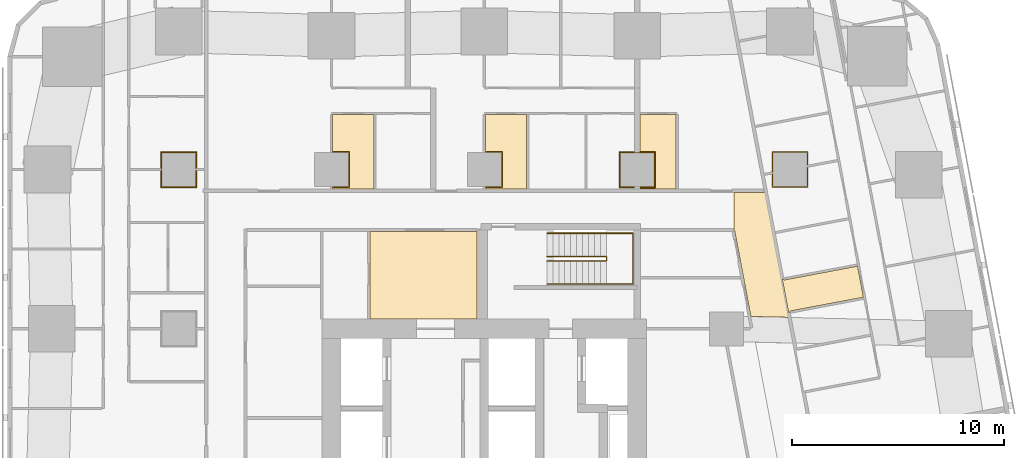
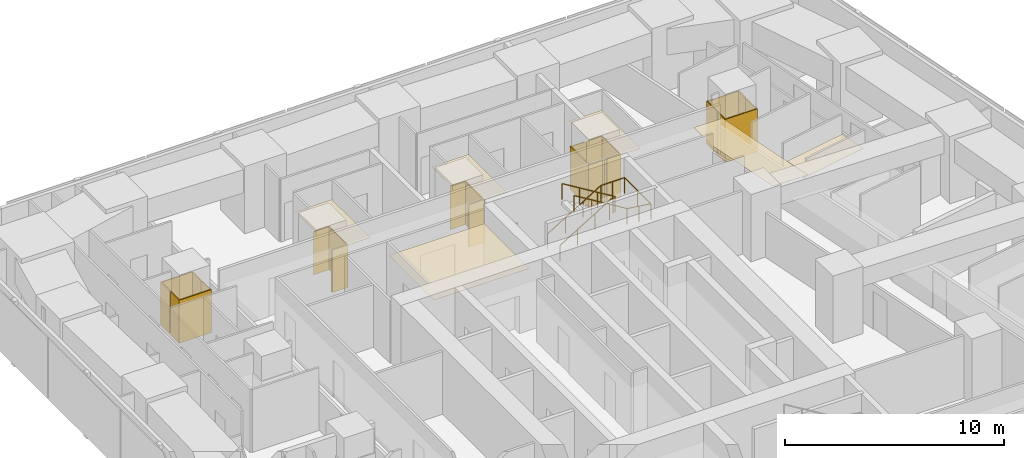
# One storey, part 17 of 17: 14 coverings, 2 railings.
"""IFC4 building model written with IfcOpenShell, lengths in metres."""

import ifcopenshell
import ifcopenshell.guid

model = None  # the IFC model being written
_history = None  # IfcOwnerHistory: only IFC2X3 demands one
_inside = {}  # id of a spatial element -> (the spatial element, [elements in it])
_under = {}  # id of a project, library or spatial element -> (it, [spatial elements below it])
_declared = {}  # id of a project -> (the project, [libraries it declares])
_typed = {}  # id of a type object -> (the type object, [elements of that type])
_made_of = {}  # id of a material, layer set ... -> (it, [elements and type objects made of it])


def new_model(schema):
    """Start an empty IFC model of exactly this schema.

    Asked for "IFC4X3", IfcOpenShell would pick the latest addendum, in which some entities
    have other attributes; the version numbers below select the first issue.
    IFC2X3 requires an IfcOwnerHistory on every rooted entity: one is made here for all.
    """
    global model, _history
    if schema == "IFC4X3":
        model = ifcopenshell.file(schema_version=(4, 3, 0, 0))
    else:
        model = ifcopenshell.file(schema=schema)
    _inside.clear()
    _under.clear()
    _declared.clear()
    _typed.clear()
    _made_of.clear()
    _history = None
    if model.schema == "IFC2X3":
        org = make("IfcOrganization", Name="unknown")
        user = make(
            "IfcPersonAndOrganization",
            ThePerson=make("IfcPerson", FamilyName="unknown"),
            TheOrganization=org,
        )
        app = make(
            "IfcApplication",
            ApplicationDeveloper=org,
            Version="unknown",
            ApplicationFullName="unknown",
            ApplicationIdentifier="unknown",
        )
        _history = make(
            "IfcOwnerHistory",
            OwningUser=user,
            OwningApplication=app,
            ChangeAction="ADDED",
            CreationDate=0,
        )
    return model


def make(cls, **values):
    """One entity of the class cls with the attributes given. An attribute that is None is left unset."""
    return model.create_entity(
        cls, **{name: value for name, value in values.items() if value is not None}
    )


def rooted(cls, **values):
    """An entity with a GlobalId (a new one), such as an element, a storey or a relation."""
    return make(cls, GlobalId=ifcopenshell.guid.new(), OwnerHistory=_history, **values)


def si_unit(unit_type, name, prefix=None):
    """IfcSIUnit, for example si_unit("LENGTHUNIT", "METRE", prefix="MILLI")."""
    return make("IfcSIUnit", UnitType=unit_type, Prefix=prefix, Name=name)


def assignment(units):
    """IfcUnitAssignment: the units of a project."""
    return None if units is None else make("IfcUnitAssignment", Units=units)


def point(xyz):
    """IfcCartesianPoint."""
    return None if xyz is None else make("IfcCartesianPoint", Coordinates=xyz)


def direction(xyz):
    """IfcDirection."""
    return None if xyz is None else make("IfcDirection", DirectionRatios=xyz)


def frame(location, z_axis=None, x_axis=None):
    """IfcAxis2Placement3D, a coordinate frame: its origin and axes. An axis left out is left unset."""
    return make(
        "IfcAxis2Placement3D",
        Location=point(location),
        Axis=direction(z_axis),
        RefDirection=direction(x_axis),
    )


def frame_2d(location, x_axis=None):
    """IfcAxis2Placement2D, a coordinate frame in the plane: its origin and x axis."""
    return make(
        "IfcAxis2Placement2D", Location=point(location), RefDirection=direction(x_axis)
    )


def origin():
    """The frame at (0, 0, 0) with its axes left unset."""
    return frame((0.0, 0.0, 0.0))


def origin_2d():
    """The frame at (0, 0) in the plane with its x axis left unset."""
    return frame_2d((0.0, 0.0))


def place(relative_to, where):
    """IfcLocalPlacement: puts the frame where relative to a parent placement (None: the world)."""
    return make(
        "IfcLocalPlacement", PlacementRelTo=relative_to, RelativePlacement=where
    )


def context(
    kind, dimensions, precision=None, world=None, true_north=None, identifier=None
):
    """IfcGeometricRepresentationContext, for example the 3D "Model" context."""
    return make(
        "IfcGeometricRepresentationContext",
        ContextIdentifier=identifier,
        ContextType=kind,
        CoordinateSpaceDimension=dimensions,
        Precision=precision,
        WorldCoordinateSystem=world,
        TrueNorth=true_north,
    )


def subcontext(parent, identifier, kind, view, scale=None):
    """IfcGeometricRepresentationSubContext, for example "Body" below "Model"."""
    return make(
        "IfcGeometricRepresentationSubContext",
        ContextIdentifier=identifier,
        ContextType=kind,
        ParentContext=parent,
        TargetScale=scale,
        TargetView=view,
    )


def project(units=None, contexts=None):
    """IfcProject with its units and contexts."""
    return rooted(
        "IfcProject",
        Name="project",
        RepresentationContexts=contexts,
        UnitsInContext=assignment(units),
    )


def spatial(cls, under=None, at=None, **own):
    """A site, building, storey or space (cls), placed at a placement, below another one or the project."""
    s = rooted(cls, ObjectPlacement=at, **own)
    if under is not None:
        _under.setdefault(under.id(), (under, []))[1].append(s)
    return s


def polyline(points):
    """IfcPolyline through the points."""
    return make("IfcPolyline", Points=[point(p) for p in points])


def profile(cls, at=None, kind="AREA", **sizes):
    """A parametric profile (cls). Its sizes go by their IFC names, for example OverallWidth=200.0."""
    return make(cls, ProfileType=kind, Position=at, **sizes)


def circle(**sizes):
    """IfcCircleProfileDef."""
    return profile("IfcCircleProfileDef", **sizes)


def outline(outer, holes=None, kind="AREA"):
    """IfcArbitraryClosedProfileDef: a profile drawn as a closed curve; with holes, ...WithVoids."""
    if holes is None:
        return make("IfcArbitraryClosedProfileDef", ProfileType=kind, OuterCurve=outer)
    return make(
        "IfcArbitraryProfileDefWithVoids",
        ProfileType=kind,
        OuterCurve=outer,
        InnerCurves=holes,
    )


def extrude(swept, where, along, depth):
    """IfcExtrudedAreaSolid: the profile swept, set in the frame where, extruded along a direction by depth."""
    return make(
        "IfcExtrudedAreaSolid",
        SweptArea=swept,
        Position=where,
        ExtrudedDirection=direction(along),
        Depth=depth,
    )


def shape(context_of_items, identifier, shape_type, items):
    """IfcShapeRepresentation: the items that make up one representation, for example the "Body"."""
    return make(
        "IfcShapeRepresentation",
        ContextOfItems=context_of_items,
        RepresentationIdentifier=identifier,
        RepresentationType=shape_type,
        Items=items,
    )


def material(Name=None, Category=None):
    """IfcMaterial."""
    return make("IfcMaterial", Name=Name, Category=Category)


def layer(
    of_material, thickness, ventilated=None, Name=None, Category=None, Priority=None
):
    """IfcMaterialLayer: one layer of a wall or slab, of a material (None: an air gap)."""
    return make(
        "IfcMaterialLayer",
        Material=of_material,
        LayerThickness=thickness,
        IsVentilated=ventilated,
        Name=Name,
        Category=Category,
        Priority=Priority,
    )


def layer_set(layers, Name=None):
    """IfcMaterialLayerSet."""
    return make("IfcMaterialLayerSet", MaterialLayers=layers, LayerSetName=Name)


def made_of(thing, what):
    """Note that an element or type object is made of a material, layer set ...; save() writes the relation."""
    if what is not None:
        _made_of.setdefault(what.id(), (what, []))[1].append(thing)
    return thing


def type_object(cls, material=None, **own):
    """A type object (cls), such as IfcWallType, which elements share."""
    return made_of(rooted(cls, **own), material)


def element(
    cls,
    number,
    at=None,
    inside=None,
    cuts=None,
    type_object=None,
    material=None,
    context=None,
    identifier="Body",
    shape_type=None,
    held_by="IfcProductDefinitionShape",
    body=None,
    shapes=None,
    **own,
):
    """One element of the class cls, such as IfcWall. Its Tag is "e" and its number.

    at: its placement. inside: the storey or other place that contains it. cuts: it is an
    opening in that element (IfcRelVoidsElement). A single representation is given by context,
    identifier, shape_type and body (its items); several are given by shapes. held_by: the class
    of the entity that holds the representations. save() writes the other relations.
    """
    e = rooted(cls, Tag="e%d" % number, ObjectPlacement=at, **own)
    if body is not None:
        shapes = [shape(context, identifier, shape_type, body)]
    if shapes is not None:
        e.Representation = make(held_by, Representations=shapes)
    if inside is not None:
        _inside.setdefault(inside.id(), (inside, []))[1].append(e)
    if cuts is not None:
        rooted(
            "IfcRelVoidsElement", RelatingBuildingElement=cuts, RelatedOpeningElement=e
        )
    if type_object is not None:
        _typed.setdefault(type_object.id(), (type_object, []))[1].append(e)
    return made_of(e, material)


def aggregate(whole, parts):
    """IfcRelAggregates: a whole, such as a stair, and the parts it consists of."""
    return rooted("IfcRelAggregates", RelatingObject=whole, RelatedObjects=parts)


def save(model, path):
    """Write the relations noted so far, then the file.

    IfcRelAggregates (storeys below a building ...), IfcRelContainedInSpatialStructure (elements
    in a storey), IfcRelDefinesByType, IfcRelAssociatesMaterial and IfcRelDeclares: one each for
    every whole, place, type object, material and project.
    """
    for whole, parts in _under.values():
        aggregate(whole, parts)
    for where, things in _inside.values():
        rooted(
            "IfcRelContainedInSpatialStructure",
            RelatedElements=things,
            RelatingStructure=where,
        )
    for kind, things in _typed.values():
        rooted("IfcRelDefinesByType", RelatedObjects=things, RelatingType=kind)
    for what, things in _made_of.values():
        rooted("IfcRelAssociatesMaterial", RelatedObjects=things, RelatingMaterial=what)
    for by, libraries in _declared.values():
        rooted("IfcRelDeclares", RelatingContext=by, RelatedDefinitions=libraries)
    model.write(path)


model = new_model("IFC4")

# Units and contexts
model_context = context("Model", 3, precision=1e-05, world=origin(), true_north=direction((0.0, 1.0)))
body_context = subcontext(model_context, "Body", "Model", "MODEL_VIEW")
ifc_project = project(units=[si_unit("LENGTHUNIT", "METRE"), si_unit("AREAUNIT", "SQUARE_METRE"), si_unit("VOLUMEUNIT", "CUBIC_METRE"), si_unit("PLANEANGLEUNIT", "RADIAN"), si_unit("MASSUNIT", "GRAM", prefix="KILO")], contexts=[model_context])

# Site, building, storey
site_placement = place(None, origin())
site = spatial("IfcSite", under=ifc_project, at=site_placement, CompositionType="ELEMENT")
building_placement = place(site_placement, origin())
building = spatial("IfcBuilding", under=site, at=building_placement, Name="Sheger Commons Tower", CompositionType="ELEMENT")
storey_placement = place(building_placement, frame((0.0, 0.0, 119.14990234375)))
storey = spatial("IfcBuildingStorey", under=building, at=storey_placement, Name="L30", CompositionType="ELEMENT", Elevation=119.14990234375)

# Railings
ifc_material_1 = material(Name="Steel handrail, black powder-coated", Category="steel")
railing_type = type_object("IfcRailingType", Name="HANDRAIL 900", PredefinedType="HANDRAIL", material=ifc_material_1)
railing_1_placement = place(storey_placement, frame((24.550048828125, 33.39990234375, 0.170654296875)))
element("IfcRailing", 1, at=railing_1_placement, inside=storey, type_object=railing_type, Name="Stair S2 handrail L30", PredefinedType="HANDRAIL", context=body_context, shape_type="SweptSolid", body=[
    extrude(circle(Radius=0.02392578125, at=origin_2d()), frame((0.0, 0.0, 0.8759765625), z_axis=(0.854202870247, 0.0, 0.519939858505), x_axis=(0.0, 1.0, 0.0)), (0.0, 0.0, 1.0), 3.278076171875),
    extrude(circle(Radius=0.02392578125, at=origin_2d()), frame((2.800048828125, 0.0, 2.580078125), z_axis=(0.0, -0.760631612298, 0.649183757016), x_axis=(1.0, 0.0, 0.0)), (0.0, 0.0, 1.0), 0.262939453125),
    extrude(circle(Radius=0.02392578125, at=origin_2d()), frame((2.800048828125, -0.199951171875, 2.7509765625), z_axis=(-0.854202870247, 0.0, 0.519939858505), x_axis=(0.0, -1.0, 0.0)), (0.0, 0.0, 1.0), 3.278076171875),
    extrude(circle(Radius=0.02099609375, at=origin_2d()), origin(), (0.0, 0.0, 1.0), 0.851806640625),
    extrude(circle(Radius=0.02099609375, at=origin_2d()), frame((0.933349609375, 0.0, 0.568115234375)), (0.0, 0.0, 1.0), 0.851806640625),
    extrude(circle(Radius=0.02099609375, at=origin_2d()), frame((1.86669921875, 0.0, 1.13623046875)), (0.0, 0.0, 1.0), 0.851806640625),
    extrude(circle(Radius=0.02099609375, at=origin_2d()), frame((2.800048828125, 0.0, 1.704345703125)), (0.0, 0.0, 1.0), 0.851806640625),
    extrude(circle(Radius=0.02099609375, at=origin_2d()), frame((2.800048828125, -0.199951171875, 1.875)), (0.0, 0.0, 1.0), 0.851806640625),
    extrude(circle(Radius=0.02099609375, at=origin_2d()), frame((1.86669921875, -0.199951171875, 2.443115234375)), (0.0, 0.0, 1.0), 0.851806640625),
    extrude(circle(Radius=0.02099609375, at=origin_2d()), frame((0.933349609375, -0.199951171875, 3.01123046875)), (0.0, 0.0, 1.0), 0.851806640625),
    extrude(circle(Radius=0.02099609375, at=origin_2d()), frame((0.0, -0.199951171875, 3.579345703125)), (0.0, 0.0, 1.0), 0.851806640625),
])
railing_2_placement = place(storey_placement, frame((24.550048828125, 34.5, 0.170654296875)))
element("IfcRailing", 2, at=railing_2_placement, inside=storey, type_object=railing_type, Name="Stair S2 handrail L30", PredefinedType="HANDRAIL", context=body_context, shape_type="SweptSolid", body=[
    extrude(circle(Radius=0.02392578125, at=origin_2d()), frame((0.0, 0.0, 0.8759765625), z_axis=(0.854202870247, 0.0, 0.519939858505), x_axis=(0.0, 1.0, 0.0)), (0.0, 0.0, 1.0), 3.278076171875),
    extrude(circle(Radius=0.02392578125, at=origin_2d()), frame((2.800048828125, 0.0, 2.580078125), z_axis=(1.0, 0.0, 0.0), x_axis=(0.0, 1.0, 0.0)), (0.0, 0.0, 1.0), 1.25),
    extrude(circle(Radius=0.02392578125, at=origin_2d()), frame((4.050048828125, 0.0, 2.580078125), z_axis=(0.0, -1.0, 0.0), x_axis=(1.0, 0.0, 0.0)), (0.0, 0.0, 1.0), 2.39990234375),
    extrude(circle(Radius=0.02392578125, at=origin_2d()), frame((4.050048828125, -2.39990234375, 2.580078125), z_axis=(-0.990808959222, 0.0, 0.135268645019), x_axis=(0.0, -1.0, 0.0)), (0.0, 0.0, 1.0), 1.261474609375),
    extrude(circle(Radius=0.02392578125, at=origin_2d()), frame((2.800048828125, -2.39990234375, 2.7509765625), z_axis=(-0.854202870247, 0.0, 0.519939858505), x_axis=(0.0, -1.0, 0.0)), (0.0, 0.0, 1.0), 3.278076171875),
    extrude(circle(Radius=0.02099609375, at=origin_2d()), origin(), (0.0, 0.0, 1.0), 0.851806640625),
    extrude(circle(Radius=0.02099609375, at=origin_2d()), frame((0.933349609375, 0.0, 0.568115234375)), (0.0, 0.0, 1.0), 0.851806640625),
    extrude(circle(Radius=0.02099609375, at=origin_2d()), frame((1.86669921875, 0.0, 1.13623046875)), (0.0, 0.0, 1.0), 0.851806640625),
    extrude(circle(Radius=0.02099609375, at=origin_2d()), frame((2.800048828125, 0.0, 1.704345703125)), (0.0, 0.0, 1.0), 0.851806640625),
    extrude(circle(Radius=0.02099609375, at=origin_2d()), frame((3.425048828125, 0.0, 1.704345703125)), (0.0, 0.0, 1.0), 0.851806640625),
    extrude(circle(Radius=0.02099609375, at=origin_2d()), frame((4.050048828125, 0.0, 1.704345703125)), (0.0, 0.0, 1.0), 0.851806640625),
    extrude(circle(Radius=0.02099609375, at=origin_2d()), frame((4.050048828125, -1.199951171875, 1.704345703125)), (0.0, 0.0, 1.0), 0.851806640625),
    extrude(circle(Radius=0.02099609375, at=origin_2d()), frame((4.050048828125, -2.39990234375, 1.704345703125)), (0.0, 0.0, 1.0), 0.851806640625),
    extrude(circle(Radius=0.02099609375, at=origin_2d()), frame((3.425048828125, -2.39990234375, 1.78955078125)), (0.0, 0.0, 1.0), 0.851806640625),
    extrude(circle(Radius=0.02099609375, at=origin_2d()), frame((2.800048828125, -2.39990234375, 1.875)), (0.0, 0.0, 1.0), 0.851806640625),
    extrude(circle(Radius=0.02099609375, at=origin_2d()), frame((1.86669921875, -2.39990234375, 2.443115234375)), (0.0, 0.0, 1.0), 0.851806640625),
    extrude(circle(Radius=0.02099609375, at=origin_2d()), frame((0.933349609375, -2.39990234375, 3.01123046875)), (0.0, 0.0, 1.0), 0.851806640625),
    extrude(circle(Radius=0.02099609375, at=origin_2d()), frame((0.0, -2.39990234375, 3.579345703125)), (0.0, 0.0, 1.0), 0.851806640625),
])

# Coverings
ifc_material_2 = material(Name="Moisture-resistant gypsum plasterboard 15 mm on a suspended galvanised steel grid", Category="steel")
ifc_layer_1 = layer(ifc_material_2, 0.014892578125)
ifc_layer_set_1 = layer_set([ifc_layer_1], Name="MOISTURE-RESISTANT CEILING 15")
covering_type_1 = type_object("IfcCoveringType", Name="MOISTURE-RESISTANT CEILING 15", PredefinedType="CEILING", material=ifc_layer_set_1)
covering_1_placement = place(storey_placement, frame((0.0, 0.0, 2.400146484375)))
element("IfcCovering", 3, at=covering_1_placement, inside=storey, type_object=covering_type_1, Name="L30-07.B2 ceiling", PredefinedType="CEILING", context=body_context, shape_type="SweptSolid", body=[
    extrude(outline(polyline([(35.93798828125, 30.76611328125), (36.007080078125, 30.779052734375), (35.9970703125, 30.8330078125), (39.4609375, 31.487060546875), (39.18408203125, 32.950927734375), (35.719970703125, 32.297119140625), (35.7099609375, 32.35107421875), (35.64111328125, 32.337890625), (35.93798828125, 30.76611328125)])), origin(), (0.0, 0.0, 1.0), 0.014892578125),
])
covering_2_placement = place(storey_placement, frame((0.0, 0.0, 2.400146484375)))
element("IfcCovering", 4, at=covering_2_placement, inside=storey, type_object=covering_type_1, Name="L30-10.B1 ceiling", PredefinedType="CEILING", context=body_context, shape_type="SweptSolid", body=[
    extrude(outline(polyline([(14.455078125, 36.580078125), (16.39501953125, 36.580078125), (16.39501953125, 40.094970703125), (14.455078125, 40.094970703125), (14.455078125, 38.304931640625), (15.205078125, 38.304931640625), (15.205078125, 36.695068359375), (14.455078125, 36.695068359375), (14.455078125, 36.580078125)])), origin(), (0.0, 0.0, 1.0), 0.014892578125),
])
covering_3_placement = place(storey_placement, frame((0.0, 0.0, 2.400146484375)))
element("IfcCovering", 5, at=covering_3_placement, inside=storey, type_object=covering_type_1, Name="L30-11.B1 ceiling", PredefinedType="CEILING", context=body_context, shape_type="SweptSolid", body=[
    extrude(outline(polyline([(21.655029296875, 36.580078125), (23.594970703125, 36.580078125), (23.594970703125, 40.094970703125), (21.655029296875, 40.094970703125), (21.655029296875, 38.304931640625), (22.405029296875, 38.304931640625), (22.405029296875, 36.695068359375), (21.655029296875, 36.695068359375), (21.655029296875, 36.580078125)])), origin(), (0.0, 0.0, 1.0), 0.014892578125),
])
covering_4_placement = place(storey_placement, frame((0.0, 0.0, 2.400146484375)))
element("IfcCovering", 6, at=covering_4_placement, inside=storey, type_object=covering_type_1, Name="L30-12.B1 ceiling", PredefinedType="CEILING", context=body_context, shape_type="SweptSolid", body=[
    extrude(outline(polyline([(28.929931640625, 36.580078125), (30.635009765625, 36.580078125), (30.635009765625, 40.094970703125), (28.929931640625, 40.094970703125), (28.929931640625, 38.304931640625), (29.60498046875, 38.304931640625), (29.60498046875, 36.695068359375), (28.929931640625, 36.695068359375), (28.929931640625, 36.580078125)])), origin(), (0.0, 0.0, 1.0), 0.014892578125),
])
ifc_material_3 = material(Name="Gypsum plasterboard 15 mm on a suspended steel grid", Category="steel")
ifc_layer_2 = layer(ifc_material_3, 0.014892578125)
ifc_layer_set_2 = layer_set([ifc_layer_2], Name="SUSPENDED CEILING 15")
covering_type_2 = type_object("IfcCoveringType", Name="SUSPENDED CEILING 15", PredefinedType="CEILING", material=ifc_layer_set_2)
covering_5_placement = place(storey_placement, frame((0.0, 0.0, 2.7001953125)))
element("IfcCovering", 7, at=covering_5_placement, inside=storey, type_object=covering_type_2, Name="L30-CO ceiling", PredefinedType="CEILING", context=body_context, shape_type="SweptSolid", body=[
    extrude(outline(polyline([(35.98095703125, 30.5380859375), (34.85498046875, 36.5), (34.77001953125, 36.5), (34.77001953125, 36.419921875), (33.365966796875, 36.419921875), (33.365966796875, 34.699951171875), (33.365966796875, 34.697998046875), (33.364013671875, 34.697998046875), (33.382080078125, 34.60205078125), (33.39892578125, 34.60498046875), (34.159912109375, 30.5791015625), (35.98095703125, 30.5380859375)])), origin(), (0.0, 0.0, 1.0), 0.014892578125),
])
covering_6_placement = place(storey_placement, frame((0.0, 0.0, 2.7001953125)))
element("IfcCovering", 8, at=covering_6_placement, inside=storey, type_object=covering_type_2, Name="L30-SVN1 ceiling", PredefinedType="CEILING", context=body_context, shape_type="SweptSolid", body=[
    extrude(outline(polyline([(16.217041015625, 30.455078125), (21.2451171875, 30.455078125), (21.2451171875, 34.58203125), (16.217041015625, 34.58203125), (16.217041015625, 30.455078125)])), origin(), (0.0, 0.0, 1.0), 0.014892578125),
])
ifc_material_4 = material(Name="Moisture-resistant gypsum board 12.5 mm on 25 mm treated timber battens, tanked and tiled", Category="wood")
ifc_layer_3 = layer(ifc_material_4, 0.050048828125)
ifc_layer_set_3 = layer_set([ifc_layer_3], Name="WET-ROOM COLUMN LINING")
covering_type_3 = type_object("IfcCoveringType", Name="WET-ROOM COLUMN LINING", PredefinedType="CLADDING", material=ifc_layer_set_3)
covering_7_placement = place(storey_placement, origin())
element("IfcCovering", 9, at=covering_7_placement, inside=storey, type_object=covering_type_3, Name="Store and laundry column lining C9 L30", PredefinedType="CLADDING", context=body_context, shape_type="SweptSolid", body=[
    extrude(outline(polyline([(6.39990234375, 37.5), (6.39990234375, 36.699951171875), (8.0, 36.699951171875), (8.0, 37.5), (8.0009765625, 37.5), (8.0009765625, 37.449951171875), (8.050048828125, 37.449951171875), (8.050048828125, 36.64990234375), (6.35009765625, 36.64990234375), (6.35009765625, 37.449951171875), (6.39892578125, 37.449951171875), (6.39892578125, 37.5), (6.39990234375, 37.5)])), origin(), (0.0, 0.0, 1.0), 2.400146484375),
])
covering_8_placement = place(storey_placement, origin())
element("IfcCovering", 10, at=covering_8_placement, inside=storey, type_object=covering_type_3, Name="Store and laundry column lining C9 L30", PredefinedType="CLADDING", context=body_context, shape_type="SweptSolid", body=[
    extrude(outline(polyline([(8.050048828125, 38.35009765625), (8.050048828125, 37.550048828125), (8.0009765625, 37.550048828125), (8.0009765625, 37.5), (8.0, 37.5), (8.0, 38.300048828125), (6.39990234375, 38.300048828125), (6.39990234375, 37.5), (6.39892578125, 37.5), (6.39892578125, 37.550048828125), (6.35009765625, 37.550048828125), (6.35009765625, 38.35009765625), (8.050048828125, 38.35009765625)])), origin(), (0.0, 0.0, 1.0), 2.400146484375),
])
covering_9_placement = place(storey_placement, origin())
element("IfcCovering", 11, at=covering_9_placement, inside=storey, type_object=covering_type_3, Name="Bathroom column lining C9 L30", PredefinedType="CLADDING", context=body_context, shape_type="SweptSolid", body=[
    extrude(outline(polyline([(15.25, 36.64990234375), (14.449951171875, 36.64990234375), (14.449951171875, 36.698974609375), (14.39990234375, 36.698974609375), (14.39990234375, 36.699951171875), (15.199951171875, 36.699951171875), (15.199951171875, 38.300048828125), (14.39990234375, 38.300048828125), (14.39990234375, 38.301025390625), (14.449951171875, 38.301025390625), (14.449951171875, 38.35009765625), (15.25, 38.35009765625), (15.25, 36.64990234375)])), origin(), (0.0, 0.0, 1.0), 2.400146484375),
])
covering_10_placement = place(storey_placement, origin())
element("IfcCovering", 12, at=covering_10_placement, inside=storey, type_object=covering_type_3, Name="Bathroom column lining C9 L30", PredefinedType="CLADDING", context=body_context, shape_type="SweptSolid", body=[
    extrude(outline(polyline([(22.449951171875, 36.64990234375), (21.64990234375, 36.64990234375), (21.64990234375, 36.698974609375), (21.60009765625, 36.698974609375), (21.60009765625, 36.699951171875), (22.39990234375, 36.699951171875), (22.39990234375, 38.300048828125), (21.60009765625, 38.300048828125), (21.60009765625, 38.301025390625), (21.64990234375, 38.301025390625), (21.64990234375, 38.35009765625), (22.449951171875, 38.35009765625), (22.449951171875, 36.64990234375)])), origin(), (0.0, 0.0, 1.0), 2.400146484375),
])
covering_11_placement = place(storey_placement, origin())
element("IfcCovering", 13, at=covering_11_placement, inside=storey, type_object=covering_type_3, Name="Laundry room column lining C9 L30", PredefinedType="CLADDING", context=body_context, shape_type="SweptSolid", body=[
    extrude(outline(polyline([(28.675048828125, 38.35009765625), (28.675048828125, 38.301025390625), (28.800048828125, 38.301025390625), (28.800048828125, 38.300048828125), (28.0, 38.300048828125), (28.0, 36.699951171875), (28.800048828125, 36.699951171875), (28.800048828125, 36.698974609375), (28.675048828125, 36.698974609375), (28.675048828125, 36.64990234375), (27.949951171875, 36.64990234375), (27.949951171875, 38.35009765625), (28.675048828125, 38.35009765625)])), origin(), (0.0, 0.0, 1.0), 2.400146484375),
])
covering_12_placement = place(storey_placement, origin())
element("IfcCovering", 14, at=covering_12_placement, inside=storey, type_object=covering_type_3, Name="Shower room column lining C9 L30", PredefinedType="CLADDING", context=body_context, shape_type="SweptSolid", body=[
    extrude(outline(polyline([(29.64990234375, 36.64990234375), (28.925048828125, 36.64990234375), (28.925048828125, 36.698974609375), (28.800048828125, 36.698974609375), (28.800048828125, 36.699951171875), (29.60009765625, 36.699951171875), (29.60009765625, 38.300048828125), (28.800048828125, 38.300048828125), (28.800048828125, 38.301025390625), (28.925048828125, 38.301025390625), (28.925048828125, 38.35009765625), (29.64990234375, 38.35009765625), (29.64990234375, 36.64990234375)])), origin(), (0.0, 0.0, 1.0), 2.400146484375),
])
covering_13_placement = place(storey_placement, origin())
element("IfcCovering", 15, at=covering_13_placement, inside=storey, type_object=covering_type_3, Name="Store and laundry column lining C9 L30", PredefinedType="CLADDING", context=body_context, shape_type="SweptSolid", body=[
    extrude(outline(polyline([(35.199951171875, 37.34912109375), (35.199951171875, 36.699951171875), (36.800048828125, 36.699951171875), (36.800048828125, 37.652099609375), (36.81005859375, 37.654052734375), (36.819091796875, 37.60400390625), (36.85009765625, 37.610107421875), (36.85009765625, 36.64990234375), (35.14990234375, 36.64990234375), (35.14990234375, 37.2890625), (35.198974609375, 37.298095703125), (35.18994140625, 37.346923828125), (35.199951171875, 37.34912109375)])), origin(), (0.0, 0.0, 1.0), 2.400146484375),
])
covering_14_placement = place(storey_placement, origin())
element("IfcCovering", 16, at=covering_14_placement, inside=storey, type_object=covering_type_3, Name="Store and laundry column lining C9 L30", PredefinedType="CLADDING", context=body_context, shape_type="SweptSolid", body=[
    extrude(outline(polyline([(36.85009765625, 38.35009765625), (36.85009765625, 37.7109375), (36.801025390625, 37.701904296875), (36.81005859375, 37.654052734375), (36.800048828125, 37.652099609375), (36.800048828125, 38.300048828125), (35.199951171875, 38.300048828125), (35.199951171875, 37.34912109375), (35.18994140625, 37.346923828125), (35.180908203125, 37.39599609375), (35.14990234375, 37.389892578125), (35.14990234375, 38.35009765625), (36.85009765625, 38.35009765625)])), origin(), (0.0, 0.0, 1.0), 2.400146484375),
])

save(model, "model.ifc")
